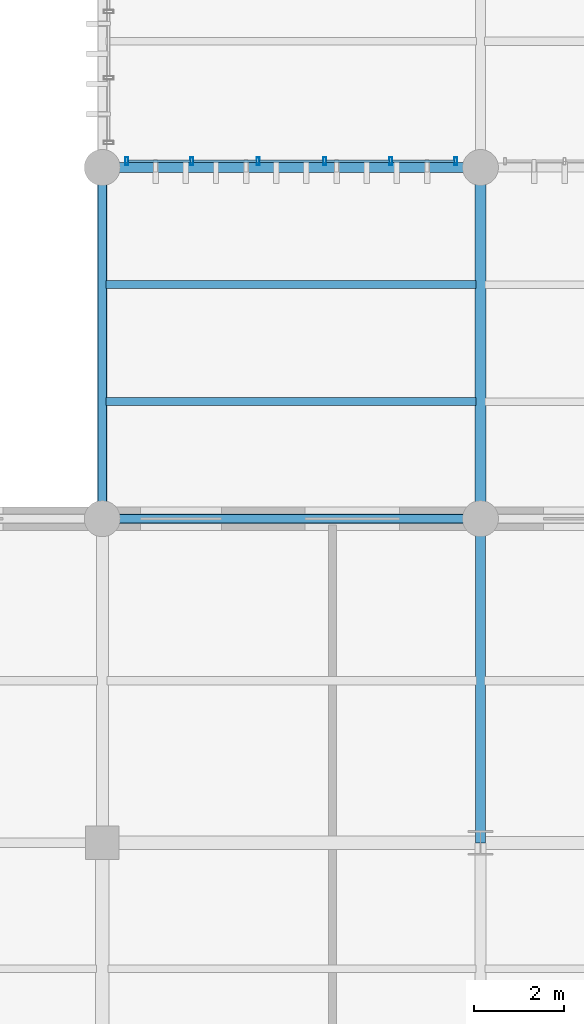
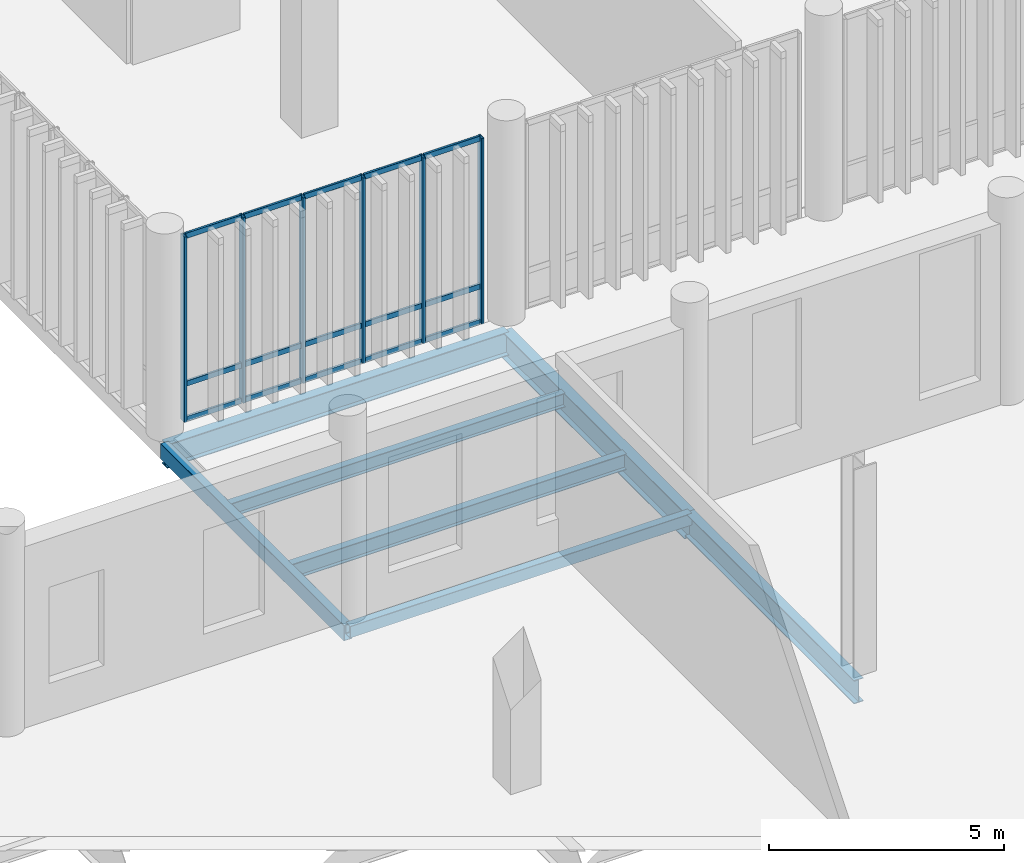
# One storey, part 71 of 128: 21 members, 7 beams, 1 element without a shape of its own.
"""IFC4 building model written with IfcOpenShell, lengths in metres."""

from ifc_helpers import new_model, si_unit, direction, frame, origin_with_axes, origin_2d_with_axis, place, context, subcontext, project, spatial, hollow_rectangle, i_section, extrude, material, material_profile, profile_set, type_object, element, aggregate, save


model = new_model("IFC4")

# Units and contexts
model_context = context("Model", 3, precision=1e-05, world=origin_with_axes(), true_north=direction((0.0, 1.0)))
body_context = subcontext(model_context, "Body", "Model", "MODEL_VIEW")
ifc_project = project(units=[si_unit("LENGTHUNIT", "METRE"), si_unit("AREAUNIT", "SQUARE_METRE"), si_unit("VOLUMEUNIT", "CUBIC_METRE"), si_unit("PLANEANGLEUNIT", "RADIAN"), si_unit("MASSUNIT", "GRAM", prefix="KILO"), si_unit("THERMODYNAMICTEMPERATUREUNIT", "KELVIN")], contexts=[model_context])

# Site, building, storey
site_placement = place(None, origin_with_axes())
site = spatial("IfcSite", under=ifc_project, at=site_placement, CompositionType="ELEMENT")
building_placement = place(site_placement, origin_with_axes())
building = spatial("IfcBuilding", under=site, at=building_placement, Name="Montbau Bow Law Courts", CompositionType="ELEMENT")
storey_placement = place(building_placement, frame((0.0, 0.0, 5.4), z_axis=(0.0, 0.0, 1.0), x_axis=(1.0, 0.0, 0.0)))
storey = spatial("IfcBuildingStorey", under=building, at=storey_placement, Name="L01", CompositionType="ELEMENT", Elevation=5.4)

# Beams
ifc_material_1 = material(Name="Steel CSA G40.21 Grade 350W (350 MPa)", Category="steel")
ifc_material_profile_1 = material_profile(ifc_material_1, i_section(OverallWidth=0.254, OverallDepth=0.688, WebThickness=0.0131, FlangeThickness=0.0211, at=origin_2d_with_axis()), Name="W690X152", Category="Main", Priority=0)
ifc_profile_set_1 = profile_set([ifc_material_profile_1], Name="Steel CSA G40.21 Grade 350W (350 MPa)")
beam_type_1 = type_object("IfcBeamType", Name="B-FLR-04", PredefinedType="BEAM", material=ifc_profile_set_1)
beam_1_placement = place(None, frame((147.0, 61.8, 4.766), z_axis=(0.0, 1.0, 0.0), x_axis=(-1.0, 0.0, 0.0)))
element("IfcBeam", 1, at=beam_1_placement, inside=storey, type_object=beam_type_1, Name="BM-L01-S1137:bm2_1140", PredefinedType="BEAM", context=body_context, shape_type="SweptSolid", body=[
    extrude(i_section(OverallWidth=0.254, OverallDepth=0.688, WebThickness=0.0131, FlangeThickness=0.0211, at=origin_2d_with_axis()), origin_with_axes(), (0.0, 0.0, 1.0), 7.8),
])
ifc_material_profile_2 = material_profile(ifc_material_1, i_section(OverallWidth=0.229, OverallDepth=0.612, WebThickness=0.0119, FlangeThickness=0.0196, at=origin_2d_with_axis()), Name="W610X125", Category="Main", Priority=0)
ifc_profile_set_2 = profile_set([ifc_material_profile_2], Name="Steel CSA G40.21 Grade 350W (350 MPa)")
beam_type_2 = type_object("IfcBeamType", Name="B-FLR-05", PredefinedType="BEAM", material=ifc_profile_set_2)
beam_2_placement = place(None, frame((138.6, 69.6, 4.804), z_axis=(1.0, 0.0, 0.0), x_axis=(0.0, 1.0, 0.0)))
element("IfcBeam", 2, at=beam_2_placement, inside=storey, type_object=beam_type_2, Name="BM-L01-S1102:bm2_1105", PredefinedType="BEAM", context=body_context, shape_type="SweptSolid", body=[
    extrude(i_section(OverallWidth=0.229, OverallDepth=0.612, WebThickness=0.0119, FlangeThickness=0.0196, at=origin_2d_with_axis()), origin_with_axes(), (0.0, 0.0, 1.0), 8.4),
])
beam_3_placement = place(None, frame((147.0, 54.6, 4.804), z_axis=(0.0, 1.0, 0.0), x_axis=(-1.0, 0.0, 0.0)))
element("IfcBeam", 3, at=beam_3_placement, inside=storey, type_object=beam_type_2, Name="BM-L01-S1508:bm2_1511", PredefinedType="BEAM", context=body_context, shape_type="SweptSolid", body=[
    extrude(i_section(OverallWidth=0.229, OverallDepth=0.612, WebThickness=0.0119, FlangeThickness=0.0196, at=origin_2d_with_axis()), origin_with_axes(), (0.0, 0.0, 1.0), 7.2),
])
ifc_material_profile_3 = material_profile(ifc_material_1, i_section(OverallWidth=0.179, OverallDepth=0.41, WebThickness=0.0088, FlangeThickness=0.0144, at=origin_2d_with_axis()), Name="W410X67", Category="Main", Priority=0)
ifc_profile_set_3 = profile_set([ifc_material_profile_3], Name="Steel CSA G40.21 Grade 350W (350 MPa)")
beam_type_3 = type_object("IfcBeamType", Name="B-JST-02", PredefinedType="JOIST", material=ifc_profile_set_3)
beam_4_placement = place(None, frame((138.68, 64.4, 4.905), z_axis=(1.0, 0.0, 0.0), x_axis=(0.0, 1.0, 0.0)))
element("IfcBeam", 4, at=beam_4_placement, inside=storey, type_object=beam_type_3, Name="JST-L01-S0561:jst2_0561", PredefinedType="JOIST", context=body_context, shape_type="SweptSolid", body=[
    extrude(i_section(OverallWidth=0.179, OverallDepth=0.41, WebThickness=0.0088, FlangeThickness=0.0144, at=origin_2d_with_axis()), origin_with_axes(), (0.0, 0.0, 1.0), 8.217),
])
ifc_material_profile_4 = material_profile(ifc_material_1, i_section(OverallWidth=0.172, OverallDepth=0.358, WebThickness=0.0079, FlangeThickness=0.0131, at=origin_2d_with_axis()), Name="W360X57", Category="Main", Priority=0)
ifc_profile_set_4 = profile_set([ifc_material_profile_4], Name="Steel CSA G40.21 Grade 350W (350 MPa)")
beam_type_4 = type_object("IfcBeamType", Name="B-JST-03", PredefinedType="JOIST", material=ifc_profile_set_4)
beam_5_placement = place(None, frame((138.68, 67.0, 4.931), z_axis=(1.0, 0.0, 0.0), x_axis=(0.0, 1.0, 0.0)))
element("IfcBeam", 5, at=beam_5_placement, inside=storey, type_object=beam_type_4, Name="JST-L01-S0562:jst2_0562", PredefinedType="JOIST", context=body_context, shape_type="SweptSolid", body=[
    extrude(i_section(OverallWidth=0.172, OverallDepth=0.358, WebThickness=0.0079, FlangeThickness=0.0131, at=origin_2d_with_axis()), origin_with_axes(), (0.0, 0.0, 1.0), 8.217),
])
ifc_material_2 = material(Name="Steel CSA G40.21 Grade 350WT (350 MPa)", Category="steel")
ifc_material_profile_5 = material_profile(ifc_material_2, hollow_rectangle(XDim=0.203, YDim=0.406, WallThickness=0.0127, InnerFilletRadius=0.0254, OuterFilletRadius=0.0127, at=origin_2d_with_axis()), Name="HSS406X203X13", Category="Main", Priority=0)
ifc_profile_set_5 = profile_set([ifc_material_profile_5], Name="Steel CSA G40.21 Grade 350WT (350 MPa)")
beam_type_5 = type_object("IfcBeamType", Name="B-SPN-01", PredefinedType="SPANDREL", material=ifc_profile_set_5)
beam_6_placement = place(None, frame((138.6, 61.8, 4.907), z_axis=(0.0, 1.0, 0.0), x_axis=(-1.0, 0.0, 0.0)))
element("IfcBeam", 6, at=beam_6_placement, inside=storey, type_object=beam_type_5, Name="SPN-L01-S1130:bm2_1133", PredefinedType="SPANDREL", context=body_context, shape_type="SweptSolid", body=[
    extrude(hollow_rectangle(XDim=0.203, YDim=0.406, WallThickness=0.0127, InnerFilletRadius=0.0254, OuterFilletRadius=0.0127, at=origin_2d_with_axis()), origin_with_axes(), (0.0, 0.0, 1.0), 7.8),
])
ifc_material_profile_6 = material_profile(ifc_material_2, hollow_rectangle(XDim=0.203, YDim=0.305, WallThickness=0.0127, InnerFilletRadius=0.0254, OuterFilletRadius=0.0127, at=origin_2d_with_axis()), Name="HSS305X203X13", Category="Main", Priority=0)
ifc_profile_set_6 = profile_set([ifc_material_profile_6], Name="Steel CSA G40.21 Grade 350WT (350 MPa)")
beam_type_6 = type_object("IfcBeamType", Name="B-SPN-02", PredefinedType="SPANDREL", material=ifc_profile_set_6)
beam_7_placement = place(None, frame((138.6, 61.8, 4.958), z_axis=(1.0, 0.0, 0.0), x_axis=(0.0, 1.0, 0.0)))
element("IfcBeam", 7, at=beam_7_placement, inside=storey, type_object=beam_type_6, Name="SPN-L01-S1098:bm2_1101", PredefinedType="SPANDREL", context=body_context, shape_type="SweptSolid", body=[
    extrude(hollow_rectangle(XDim=0.203, YDim=0.305, WallThickness=0.0127, InnerFilletRadius=0.0254, OuterFilletRadius=0.0127, at=origin_2d_with_axis()), origin_with_axes(), (0.0, 0.0, 1.0), 8.4),
])

# Curtain wall, members
ifc_material_3 = material(Name="Thermally Broken Extruded Aluminium AA 6063-T6", Category="aluminium")
curtain_wall_type = type_object("IfcCurtainWallType", Name="CW-SLT-01", PredefinedType="NOTDEFINED", material=ifc_material_3)
curtain_wall_placement = place(None, frame((139.115, 69.74, 5.4), z_axis=(0.0, 0.0, 1.0), x_axis=(1.0, 0.0, 0.0)))
curtain_wall = element("IfcCurtainWall", 8, at=curtain_wall_placement, inside=storey, type_object=curtain_wall_type, Name="CW-L01-277:cw_0277", PredefinedType="NOTDEFINED")
ifc_material_profile_7 = material_profile(ifc_material_3, hollow_rectangle(XDim=0.065, YDim=0.18, WallThickness=0.005, InnerFilletRadius=0.01, OuterFilletRadius=0.005, at=origin_2d_with_axis()), Name="CWM-180X65", Category="Main", Priority=0)
ifc_profile_set_7 = profile_set([ifc_material_profile_7], Name="Thermally Broken Extruded Aluminium AA 6063-T6")
member_type_1 = type_object("IfcMemberType", Name="M-MUL-02", PredefinedType="MULLION", material=ifc_profile_set_7)
member_1_placement = place(None, frame((139.148, 69.74, 5.4), z_axis=(0.0, 0.0, 1.0), x_axis=(1.0, 0.0, 0.0)))
member_1 = element("IfcMember", 9, at=member_1_placement, type_object=member_type_1, Name="CW-L01-277-M01:cw_0277_M01", PredefinedType="MULLION", context=body_context, shape_type="SweptSolid", body=[
    extrude(hollow_rectangle(XDim=0.065, YDim=0.18, WallThickness=0.005, InnerFilletRadius=0.01, OuterFilletRadius=0.005, at=origin_2d_with_axis()), origin_with_axes(), (0.0, 0.0, 1.0), 4.82),
])
member_2_placement = place(None, frame((140.589, 69.74, 5.4), z_axis=(0.0, 0.0, 1.0), x_axis=(1.0, 0.0, 0.0)))
member_2 = element("IfcMember", 10, at=member_2_placement, type_object=member_type_1, Name="CW-L01-277-M02:cw_0277_M02", PredefinedType="MULLION", context=body_context, shape_type="SweptSolid", body=[
    extrude(hollow_rectangle(XDim=0.065, YDim=0.18, WallThickness=0.005, InnerFilletRadius=0.01, OuterFilletRadius=0.005, at=origin_2d_with_axis()), origin_with_axes(), (0.0, 0.0, 1.0), 4.82),
])
member_3_placement = place(None, frame((142.063, 69.74, 5.4), z_axis=(0.0, 0.0, 1.0), x_axis=(1.0, 0.0, 0.0)))
member_3 = element("IfcMember", 11, at=member_3_placement, type_object=member_type_1, Name="CW-L01-277-M03:cw_0277_M03", PredefinedType="MULLION", context=body_context, shape_type="SweptSolid", body=[
    extrude(hollow_rectangle(XDim=0.065, YDim=0.18, WallThickness=0.005, InnerFilletRadius=0.01, OuterFilletRadius=0.005, at=origin_2d_with_axis()), origin_with_axes(), (0.0, 0.0, 1.0), 4.82),
])
member_4_placement = place(None, frame((143.537, 69.74, 5.4), z_axis=(0.0, 0.0, 1.0), x_axis=(1.0, 0.0, 0.0)))
member_4 = element("IfcMember", 12, at=member_4_placement, type_object=member_type_1, Name="CW-L01-277-M04:cw_0277_M04", PredefinedType="MULLION", context=body_context, shape_type="SweptSolid", body=[
    extrude(hollow_rectangle(XDim=0.065, YDim=0.18, WallThickness=0.005, InnerFilletRadius=0.01, OuterFilletRadius=0.005, at=origin_2d_with_axis()), origin_with_axes(), (0.0, 0.0, 1.0), 4.82),
])
member_5_placement = place(None, frame((145.011, 69.74, 5.4), z_axis=(0.0, 0.0, 1.0), x_axis=(1.0, 0.0, 0.0)))
member_5 = element("IfcMember", 13, at=member_5_placement, type_object=member_type_1, Name="CW-L01-277-M05:cw_0277_M05", PredefinedType="MULLION", context=body_context, shape_type="SweptSolid", body=[
    extrude(hollow_rectangle(XDim=0.065, YDim=0.18, WallThickness=0.005, InnerFilletRadius=0.01, OuterFilletRadius=0.005, at=origin_2d_with_axis()), origin_with_axes(), (0.0, 0.0, 1.0), 4.82),
])
member_6_placement = place(None, frame((146.453, 69.74, 5.4), z_axis=(0.0, 0.0, 1.0), x_axis=(1.0, 0.0, 0.0)))
member_6 = element("IfcMember", 14, at=member_6_placement, type_object=member_type_1, Name="CW-L01-277-M06:cw_0277_M06", PredefinedType="MULLION", context=body_context, shape_type="SweptSolid", body=[
    extrude(hollow_rectangle(XDim=0.065, YDim=0.18, WallThickness=0.005, InnerFilletRadius=0.01, OuterFilletRadius=0.005, at=origin_2d_with_axis()), origin_with_axes(), (0.0, 0.0, 1.0), 4.82),
])
ifc_material_profile_8 = material_profile(ifc_material_3, hollow_rectangle(XDim=0.055, YDim=0.14, WallThickness=0.004, InnerFilletRadius=0.008, OuterFilletRadius=0.004, at=origin_2d_with_axis()), Name="CWT-140X55", Category="Main", Priority=0)
ifc_profile_set_8 = profile_set([ifc_material_profile_8], Name="Thermally Broken Extruded Aluminium AA 6063-T6")
member_type_2 = type_object("IfcMemberType", Name="M-TRN-02", PredefinedType="USERDEFINED", material=ifc_profile_set_8)
member_7_placement = place(None, frame((139.183, 69.74, 5.428), z_axis=(1.0, 0.0, 0.0), x_axis=(0.0, 1.0, 0.0)))
member_7 = element("IfcMember", 15, at=member_7_placement, type_object=member_type_2, Name="CW-L01-277-T01-1:cw_0277_T01_1", ObjectType="TRANSOM", PredefinedType="USERDEFINED", context=body_context, shape_type="SweptSolid", body=[
    extrude(hollow_rectangle(XDim=0.055, YDim=0.14, WallThickness=0.004, InnerFilletRadius=0.008, OuterFilletRadius=0.004, at=origin_2d_with_axis()), origin_with_axes(), (0.0, 0.0, 1.0), 1.372),
])
member_8_placement = place(None, frame((139.183, 69.74, 6.35), z_axis=(1.0, 0.0, 0.0), x_axis=(0.0, 1.0, 0.0)))
member_8 = element("IfcMember", 16, at=member_8_placement, type_object=member_type_2, Name="CW-L01-277-T01-2:cw_0277_T01_2", ObjectType="TRANSOM", PredefinedType="USERDEFINED", context=body_context, shape_type="SweptSolid", body=[
    extrude(hollow_rectangle(XDim=0.055, YDim=0.14, WallThickness=0.004, InnerFilletRadius=0.008, OuterFilletRadius=0.004, at=origin_2d_with_axis()), origin_with_axes(), (0.0, 0.0, 1.0), 1.372),
])
member_9_placement = place(None, frame((139.183, 69.74, 10.193), z_axis=(1.0, 0.0, 0.0), x_axis=(0.0, 1.0, 0.0)))
member_9 = element("IfcMember", 17, at=member_9_placement, type_object=member_type_2, Name="CW-L01-277-T01-3:cw_0277_T01_3", ObjectType="TRANSOM", PredefinedType="USERDEFINED", context=body_context, shape_type="SweptSolid", body=[
    extrude(hollow_rectangle(XDim=0.055, YDim=0.14, WallThickness=0.004, InnerFilletRadius=0.008, OuterFilletRadius=0.004, at=origin_2d_with_axis()), origin_with_axes(), (0.0, 0.0, 1.0), 1.372),
])
member_10_placement = place(None, frame((140.623, 69.74, 5.428), z_axis=(1.0, 0.0, 0.0), x_axis=(0.0, 1.0, 0.0)))
member_10 = element("IfcMember", 18, at=member_10_placement, type_object=member_type_2, Name="CW-L01-277-T02-1:cw_0277_T02_1", ObjectType="TRANSOM", PredefinedType="USERDEFINED", context=body_context, shape_type="SweptSolid", body=[
    extrude(hollow_rectangle(XDim=0.055, YDim=0.14, WallThickness=0.004, InnerFilletRadius=0.008, OuterFilletRadius=0.004, at=origin_2d_with_axis()), origin_with_axes(), (0.0, 0.0, 1.0), 1.405),
])
member_11_placement = place(None, frame((140.623, 69.74, 6.35), z_axis=(1.0, 0.0, 0.0), x_axis=(0.0, 1.0, 0.0)))
member_11 = element("IfcMember", 19, at=member_11_placement, type_object=member_type_2, Name="CW-L01-277-T02-2:cw_0277_T02_2", ObjectType="TRANSOM", PredefinedType="USERDEFINED", context=body_context, shape_type="SweptSolid", body=[
    extrude(hollow_rectangle(XDim=0.055, YDim=0.14, WallThickness=0.004, InnerFilletRadius=0.008, OuterFilletRadius=0.004, at=origin_2d_with_axis()), origin_with_axes(), (0.0, 0.0, 1.0), 1.405),
])
member_12_placement = place(None, frame((140.623, 69.74, 10.193), z_axis=(1.0, 0.0, 0.0), x_axis=(0.0, 1.0, 0.0)))
member_12 = element("IfcMember", 20, at=member_12_placement, type_object=member_type_2, Name="CW-L01-277-T02-3:cw_0277_T02_3", ObjectType="TRANSOM", PredefinedType="USERDEFINED", context=body_context, shape_type="SweptSolid", body=[
    extrude(hollow_rectangle(XDim=0.055, YDim=0.14, WallThickness=0.004, InnerFilletRadius=0.008, OuterFilletRadius=0.004, at=origin_2d_with_axis()), origin_with_axes(), (0.0, 0.0, 1.0), 1.405),
])
member_13_placement = place(None, frame((142.097, 69.74, 5.428), z_axis=(1.0, 0.0, 0.0), x_axis=(0.0, 1.0, 0.0)))
member_13 = element("IfcMember", 21, at=member_13_placement, type_object=member_type_2, Name="CW-L01-277-T03-1:cw_0277_T03_1", ObjectType="TRANSOM", PredefinedType="USERDEFINED", context=body_context, shape_type="SweptSolid", body=[
    extrude(hollow_rectangle(XDim=0.055, YDim=0.14, WallThickness=0.004, InnerFilletRadius=0.008, OuterFilletRadius=0.004, at=origin_2d_with_axis()), origin_with_axes(), (0.0, 0.0, 1.0), 1.406),
])
member_14_placement = place(None, frame((142.097, 69.74, 6.35), z_axis=(1.0, 0.0, 0.0), x_axis=(0.0, 1.0, 0.0)))
member_14 = element("IfcMember", 22, at=member_14_placement, type_object=member_type_2, Name="CW-L01-277-T03-2:cw_0277_T03_2", ObjectType="TRANSOM", PredefinedType="USERDEFINED", context=body_context, shape_type="SweptSolid", body=[
    extrude(hollow_rectangle(XDim=0.055, YDim=0.14, WallThickness=0.004, InnerFilletRadius=0.008, OuterFilletRadius=0.004, at=origin_2d_with_axis()), origin_with_axes(), (0.0, 0.0, 1.0), 1.406),
])
member_15_placement = place(None, frame((142.097, 69.74, 10.193), z_axis=(1.0, 0.0, 0.0), x_axis=(0.0, 1.0, 0.0)))
member_15 = element("IfcMember", 23, at=member_15_placement, type_object=member_type_2, Name="CW-L01-277-T03-3:cw_0277_T03_3", ObjectType="TRANSOM", PredefinedType="USERDEFINED", context=body_context, shape_type="SweptSolid", body=[
    extrude(hollow_rectangle(XDim=0.055, YDim=0.14, WallThickness=0.004, InnerFilletRadius=0.008, OuterFilletRadius=0.004, at=origin_2d_with_axis()), origin_with_axes(), (0.0, 0.0, 1.0), 1.406),
])
member_16_placement = place(None, frame((143.571, 69.74, 5.428), z_axis=(1.0, 0.0, 0.0), x_axis=(0.0, 1.0, 0.0)))
member_16 = element("IfcMember", 24, at=member_16_placement, type_object=member_type_2, Name="CW-L01-277-T04-1:cw_0277_T04_1", ObjectType="TRANSOM", PredefinedType="USERDEFINED", context=body_context, shape_type="SweptSolid", body=[
    extrude(hollow_rectangle(XDim=0.055, YDim=0.14, WallThickness=0.004, InnerFilletRadius=0.008, OuterFilletRadius=0.004, at=origin_2d_with_axis()), origin_with_axes(), (0.0, 0.0, 1.0), 1.406),
])
member_17_placement = place(None, frame((143.571, 69.74, 6.35), z_axis=(1.0, 0.0, 0.0), x_axis=(0.0, 1.0, 0.0)))
member_17 = element("IfcMember", 25, at=member_17_placement, type_object=member_type_2, Name="CW-L01-277-T04-2:cw_0277_T04_2", ObjectType="TRANSOM", PredefinedType="USERDEFINED", context=body_context, shape_type="SweptSolid", body=[
    extrude(hollow_rectangle(XDim=0.055, YDim=0.14, WallThickness=0.004, InnerFilletRadius=0.008, OuterFilletRadius=0.004, at=origin_2d_with_axis()), origin_with_axes(), (0.0, 0.0, 1.0), 1.406),
])
member_18_placement = place(None, frame((143.571, 69.74, 10.193), z_axis=(1.0, 0.0, 0.0), x_axis=(0.0, 1.0, 0.0)))
member_18 = element("IfcMember", 26, at=member_18_placement, type_object=member_type_2, Name="CW-L01-277-T04-3:cw_0277_T04_3", ObjectType="TRANSOM", PredefinedType="USERDEFINED", context=body_context, shape_type="SweptSolid", body=[
    extrude(hollow_rectangle(XDim=0.055, YDim=0.14, WallThickness=0.004, InnerFilletRadius=0.008, OuterFilletRadius=0.004, at=origin_2d_with_axis()), origin_with_axes(), (0.0, 0.0, 1.0), 1.406),
])
member_19_placement = place(None, frame((145.045, 69.74, 5.428), z_axis=(1.0, 0.0, 0.0), x_axis=(0.0, 1.0, 0.0)))
member_19 = element("IfcMember", 27, at=member_19_placement, type_object=member_type_2, Name="CW-L01-277-T05-1:cw_0277_T05_1", ObjectType="TRANSOM", PredefinedType="USERDEFINED", context=body_context, shape_type="SweptSolid", body=[
    extrude(hollow_rectangle(XDim=0.055, YDim=0.14, WallThickness=0.004, InnerFilletRadius=0.008, OuterFilletRadius=0.004, at=origin_2d_with_axis()), origin_with_axes(), (0.0, 0.0, 1.0), 1.374),
])
member_20_placement = place(None, frame((145.045, 69.74, 6.35), z_axis=(1.0, 0.0, 0.0), x_axis=(0.0, 1.0, 0.0)))
member_20 = element("IfcMember", 28, at=member_20_placement, type_object=member_type_2, Name="CW-L01-277-T05-2:cw_0277_T05_2", ObjectType="TRANSOM", PredefinedType="USERDEFINED", context=body_context, shape_type="SweptSolid", body=[
    extrude(hollow_rectangle(XDim=0.055, YDim=0.14, WallThickness=0.004, InnerFilletRadius=0.008, OuterFilletRadius=0.004, at=origin_2d_with_axis()), origin_with_axes(), (0.0, 0.0, 1.0), 1.374),
])
member_21_placement = place(None, frame((145.045, 69.74, 10.193), z_axis=(1.0, 0.0, 0.0), x_axis=(0.0, 1.0, 0.0)))
member_21 = element("IfcMember", 29, at=member_21_placement, type_object=member_type_2, Name="CW-L01-277-T05-3:cw_0277_T05_3", ObjectType="TRANSOM", PredefinedType="USERDEFINED", context=body_context, shape_type="SweptSolid", body=[
    extrude(hollow_rectangle(XDim=0.055, YDim=0.14, WallThickness=0.004, InnerFilletRadius=0.008, OuterFilletRadius=0.004, at=origin_2d_with_axis()), origin_with_axes(), (0.0, 0.0, 1.0), 1.374),
])
aggregate(curtain_wall, [member_1, member_2, member_3, member_4, member_5, member_6, member_7, member_8, member_9, member_10, member_11, member_12, member_13, member_14, member_15, member_16, member_17, member_18, member_19, member_20, member_21])

save(model, "model.ifc")
